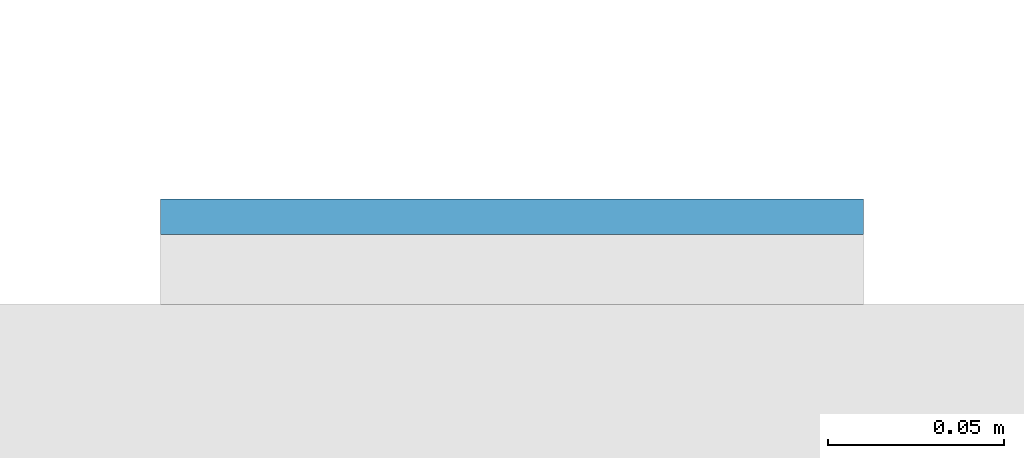
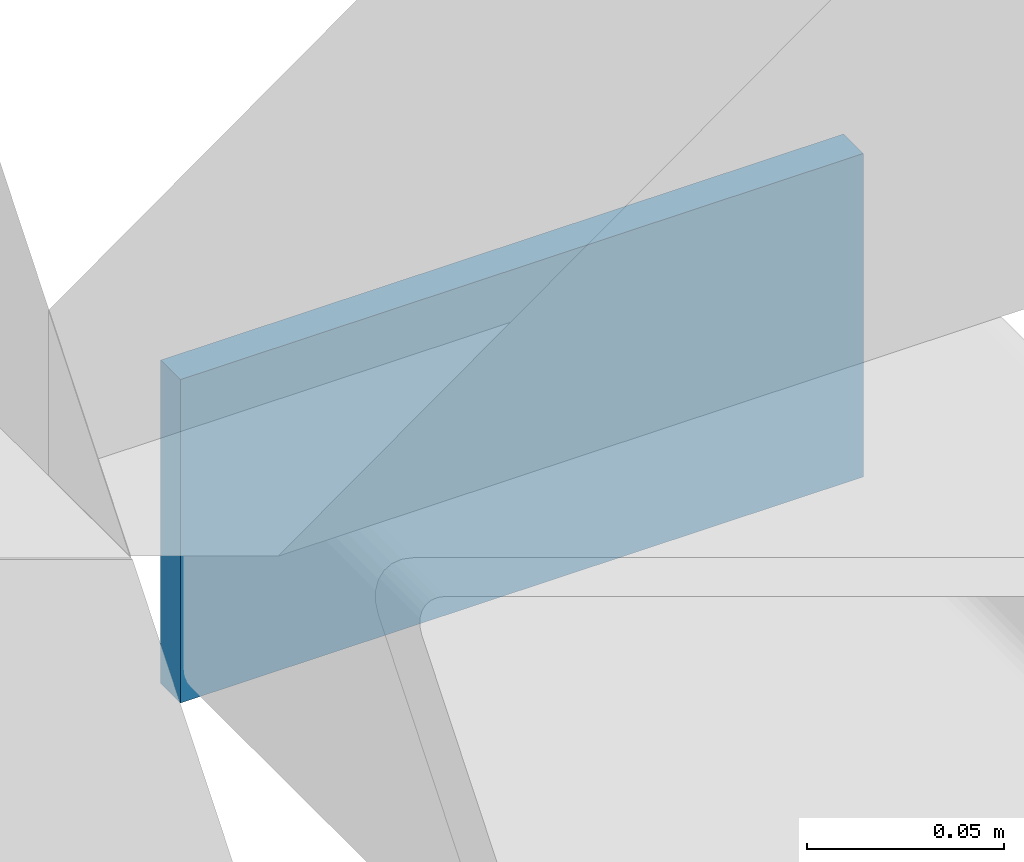
# One storey, part 11 of 20: 1 plate.
"""IFC4 building model written with IfcOpenShell, lengths in metres."""

from ifc_helpers import new_model, si_unit, direction, frame, origin, origin_2d, place, context, subcontext, project, spatial, rectangle, extrude, material, layer, layer_set, type_object, element, save


model = new_model("IFC4")

# Units and contexts
model_context = context("Model", 3, precision=1e-05, world=origin(), true_north=direction((0.0, 1.0)))
body_context = subcontext(model_context, "Body", "Model", "MODEL_VIEW")
ifc_project = project(units=[si_unit("LENGTHUNIT", "METRE"), si_unit("AREAUNIT", "SQUARE_METRE"), si_unit("VOLUMEUNIT", "CUBIC_METRE"), si_unit("PLANEANGLEUNIT", "RADIAN"), si_unit("MASSUNIT", "GRAM", prefix="KILO")], contexts=[model_context])

# Site, building, storey
site_placement = place(None, origin())
site = spatial("IfcSite", under=ifc_project, at=site_placement, CompositionType="ELEMENT")
building_placement = place(site_placement, origin())
building = spatial("IfcBuilding", under=site, at=building_placement, Name="Cleftline Residences", CompositionType="ELEMENT")
storey_placement = place(building_placement, frame((0.0, 0.0, 33.199951171875)))
storey = spatial("IfcBuildingStorey", under=building, at=storey_placement, Name="L07", CompositionType="ELEMENT", Elevation=33.199951171875)

# Plate
ifc_material = material(Name="Steel S355, hot-dip galvanised", Category="steel")
ifc_layer = layer(ifc_material, 0.010009765625)
ifc_layer_set = layer_set([ifc_layer], Name="BAGUETTE CARRIER END PLATE 200X100X10")
plate_type = type_object("IfcPlateType", Name="BAGUETTE CARRIER END PLATE 200X100X10", PredefinedType="USERDEFINED", material=ifc_layer_set)
plate_placement = place(storey_placement, frame((66.85009765625, 44.304931640625, -0.10009765625), z_axis=(0.0, 0.0, 1.0), x_axis=(1.0, 0.0, 0.0)))
element("IfcPlate", 1, at=plate_placement, inside=storey, type_object=plate_type, Name="Baguette carrier end plate", ObjectType="BAGUETTE CARRIER END PLATE", PredefinedType="USERDEFINED", context=body_context, shape_type="SweptSolid", body=[
    extrude(rectangle(XDim=0.199951171875, YDim=0.010009765625, at=origin_2d()), origin(), (0.0, 0.0, 1.0), 0.10009765625),
])

save(model, "model.ifc")
